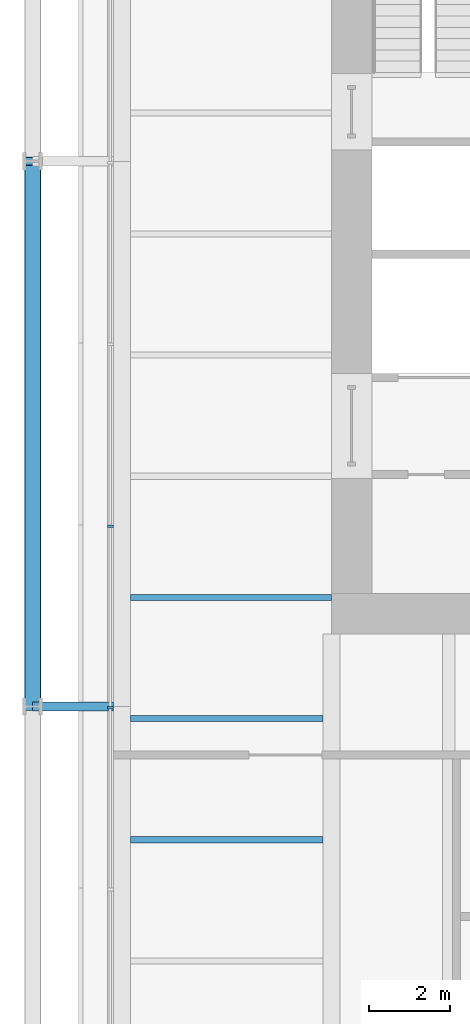
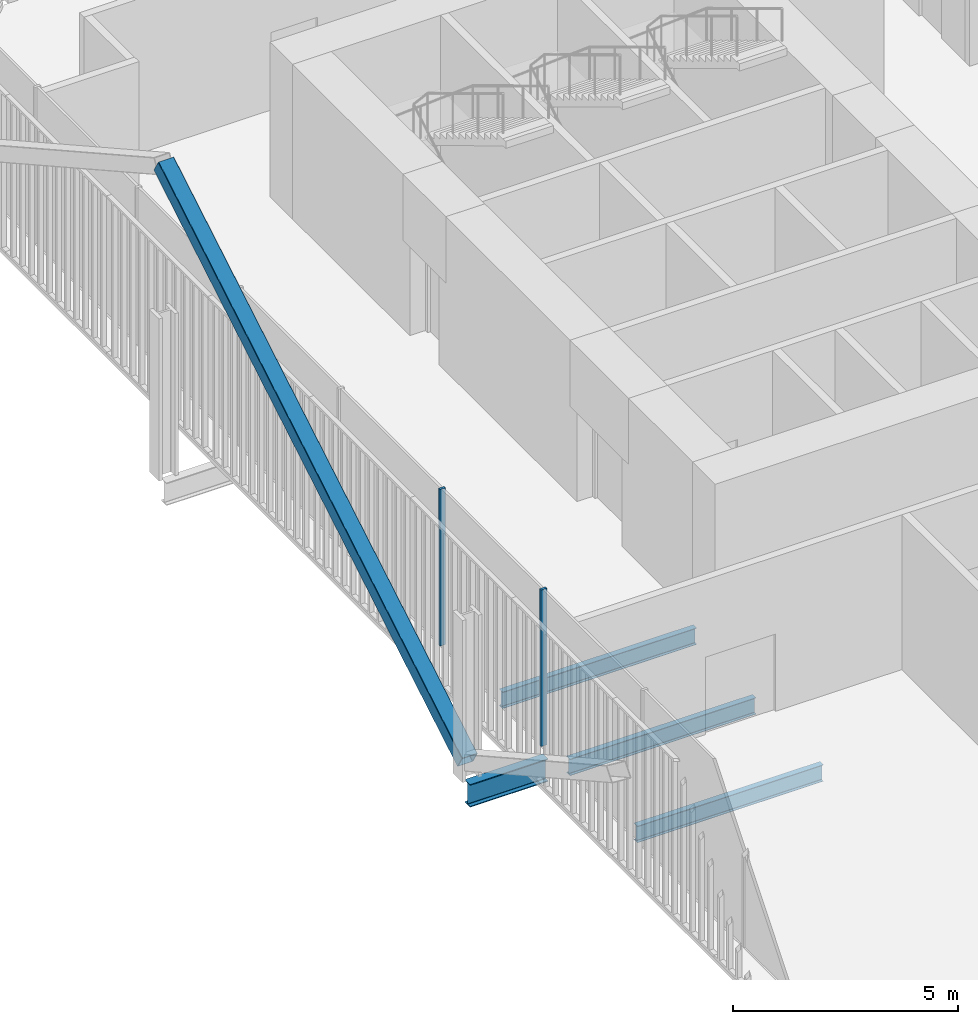
# One storey, part 5 of 21: 4 beams, 3 members, 1 element without a shape of its own.
"""IFC4 building model written with IfcOpenShell, lengths in metres."""

from ifc_helpers import new_model, si_unit, direction, frame, origin, origin_2d, place, context, subcontext, project, spatial, rectangle, hollow_rectangle, i_section, extrude, material, layer, layer_set, material_profile, profile_set, type_object, element, aggregate, save


model = new_model("IFC4")

# Units and contexts
model_context = context("Model", 3, precision=1e-05, world=origin(), true_north=direction((0.0, 1.0)))
body_context = subcontext(model_context, "Body", "Model", "MODEL_VIEW")
ifc_project = project(units=[si_unit("LENGTHUNIT", "METRE"), si_unit("AREAUNIT", "SQUARE_METRE"), si_unit("VOLUMEUNIT", "CUBIC_METRE"), si_unit("PLANEANGLEUNIT", "RADIAN"), si_unit("MASSUNIT", "GRAM", prefix="KILO")], contexts=[model_context])

# Site, building, storey
site_placement = place(None, origin())
site = spatial("IfcSite", under=ifc_project, at=site_placement, CompositionType="ELEMENT")
building_placement = place(site_placement, origin())
building = spatial("IfcBuilding", under=site, at=building_placement, Name="Millrace Tower", CompositionType="ELEMENT")
storey_placement = place(building_placement, frame((0.0, 0.0, 82.0)))
storey = spatial("IfcBuildingStorey", under=building, at=storey_placement, Name="L18", CompositionType="ELEMENT", Elevation=82.0)

# Curtain wall, members
ifc_material_1 = material(Name="Aluminium and glass", Category="aluminium")
ifc_layer = layer(ifc_material_1, 0.14990234375)
ifc_layer_set = layer_set([ifc_layer], Name="Aluminium and glass")
curtain_wall_type = type_object("IfcCurtainWallType", Name="CW-3 telecom floor curtain wall", PredefinedType="NOTDEFINED", material=ifc_layer_set)
curtain_wall_placement = place(storey_placement, origin())
curtain_wall = element("IfcCurtainWall", 1, at=curtain_wall_placement, inside=storey, type_object=curtain_wall_type, Name="Curtain wall B-F08 L18", PredefinedType="NOTDEFINED")
ifc_material_2 = material(Name="Aluminium", Category="aluminium")
ifc_material_profile_1 = material_profile(ifc_material_2, rectangle(XDim=0.06494140625, YDim=0.14990234375, at=origin_2d()))
ifc_profile_set_1 = profile_set([ifc_material_profile_1], Name="Aluminium")
member_type_1 = type_object("IfcMemberType", Name="CW-3 telecom floor curtain wall mullion", PredefinedType="MULLION", material=ifc_profile_set_1)
member_1_placement = place(storey_placement, frame((-20.375, -7.232421875, 0.14990234375), z_axis=(0.0, 0.0, 1.0), x_axis=(0.0, -1.0, 0.0)))
member_1 = element("IfcMember", 2, at=member_1_placement, type_object=member_type_1, Name="CW3 mullion B-F08.6", PredefinedType="MULLION", context=body_context, shape_type="SweptSolid", body=[
    extrude(rectangle(XDim=0.06494140625, YDim=0.14990234375, at=origin_2d()), origin(), (0.0, 0.0, 1.0), 4.25),
])
member_2_placement = place(storey_placement, frame((-20.375, -11.732421875, 0.14990234375), z_axis=(0.0, 0.0, 1.0), x_axis=(0.0, -1.0, 0.0)))
member_2 = element("IfcMember", 3, at=member_2_placement, type_object=member_type_1, Name="CW3 mullion B-F08.7", PredefinedType="MULLION", context=body_context, shape_type="SweptSolid", body=[
    extrude(rectangle(XDim=0.06494140625, YDim=0.14990234375, at=origin_2d()), origin(), (0.0, 0.0, 1.0), 4.25),
])
aggregate(curtain_wall, [member_1, member_2])

# Member
ifc_material_3 = material(Name="Steel ASTM A500 Grade C", Category="steel")
ifc_material_profile_2 = material_profile(ifc_material_3, hollow_rectangle(XDim=0.406494140625, YDim=0.406494140625, WallThickness=0.015869140625, InnerFilletRadius=0.008056640625, OuterFilletRadius=0.02392578125, at=origin_2d()))
ifc_profile_set_2 = profile_set([ifc_material_profile_2], Name="Steel ASTM A500 Grade C")
member_type_2 = type_object("IfcMemberType", Name="Exoskeleton brace HSS16x16x5/8", PredefinedType="BRACE", material=ifc_profile_set_2)
member_3_placement = place(storey_placement, frame((-22.300048828125, -11.699951171875, 0.39990234375), z_axis=(0.0, 0.860291533634, 0.509802390302), x_axis=(-1.0, 0.0, 0.0)))
element("IfcMember", 4, at=member_3_placement, inside=storey, type_object=member_type_2, Name="BRC-B-L18-15", PredefinedType="BRACE", context=body_context, shape_type="SweptSolid", body=[
    extrude(hollow_rectangle(XDim=0.406494140625, YDim=0.406494140625, WallThickness=0.015869140625, InnerFilletRadius=0.008056640625, OuterFilletRadius=0.02392578125, at=origin_2d()), origin(), (0.0, 0.0, 1.0), 15.6923828125),
])

# Beams
ifc_material_4 = material(Name="Steel ASTM A992 Grade 50", Category="steel")
ifc_material_profile_3 = material_profile(ifc_material_4, i_section(OverallWidth=0.15234375, OverallDepth=0.449462890625, WebThickness=0.007568359375, FlangeThickness=0.0107421875, FilletRadius=0.01025390625, at=origin_2d()))
ifc_profile_set_3 = profile_set([ifc_material_profile_3], Name="Steel ASTM A992 Grade 50")
beam_type_1 = type_object("IfcBeamType", Name="Floor beam W18x35", PredefinedType="JOIST", material=ifc_profile_set_3)
for number, where, z_axis, x_axis, name in (
    (5, (-19.880859375, -15.0, -0.4248046875), (1.0, 0.0, 0.0), (0.0, 1.0, 0.0), "BM-B-L18-S1-S009"),
    (6, (-19.880859375, -12.0, -0.4248046875), (1.0, 0.0, 0.0), (0.0, 1.0, 0.0), "BM-B-L18-S1-S011"),
):
    element("IfcBeam", number, at=place(storey_placement, frame(where, z_axis=z_axis, x_axis=x_axis)), inside=storey, type_object=beam_type_1, Name=name, PredefinedType="JOIST", context=body_context, shape_type="SweptSolid", body=[
        extrude(i_section(OverallWidth=0.15234375, OverallDepth=0.449462890625, WebThickness=0.007568359375, FlangeThickness=0.0107421875, FilletRadius=0.01025390625, at=origin_2d()), origin(), (0.0, 0.0, 1.0), 4.77001953125),
    ])
beam_1_placement = place(storey_placement, frame((-19.880859375, -9.0, -0.4248046875), z_axis=(1.0, 0.0, 0.0), x_axis=(0.0, 1.0, 0.0)))
element("IfcBeam", 7, at=beam_1_placement, inside=storey, type_object=beam_type_1, Name="BM-B-L18-S1-S014", PredefinedType="JOIST", context=body_context, shape_type="SweptSolid", body=[
    extrude(i_section(OverallWidth=0.15234375, OverallDepth=0.449462890625, WebThickness=0.007568359375, FlangeThickness=0.0107421875, FilletRadius=0.01025390625, at=origin_2d()), origin(), (0.0, 0.0, 1.0), 4.98095703125),
])
ifc_material_5 = material(Name="Steel ASTM A992 Grade 50", Category="steel")
ifc_material_profile_4 = material_profile(ifc_material_5, i_section(OverallWidth=0.23046875, OverallDepth=0.6171875, WebThickness=0.01318359375, FlangeThickness=0.022216796875, FilletRadius=0.012939453125, at=origin_2d()))
ifc_profile_set_4 = profile_set([ifc_material_profile_4], Name="Steel ASTM A992 Grade 50")
beam_type_2 = type_object("IfcBeamType", Name="Link beam W24x94", PredefinedType="BEAM", material=ifc_profile_set_4)
beam_2_placement = place(storey_placement, frame((-20.300048828125, -11.699951171875, -0.508544921875), z_axis=(-1.0, 0.0, 0.0), x_axis=(0.0, -1.0, 0.0)))
element("IfcBeam", 8, at=beam_2_placement, inside=storey, type_object=beam_type_2, Name="LNK-B-L18-S1-02", PredefinedType="BEAM", context=body_context, shape_type="SweptSolid", body=[
    extrude(i_section(OverallWidth=0.23046875, OverallDepth=0.6171875, WebThickness=0.01318359375, FlangeThickness=0.022216796875, FilletRadius=0.012939453125, at=origin_2d()), origin(), (0.0, 0.0, 1.0), 2.0),
])

save(model, "model.ifc")
